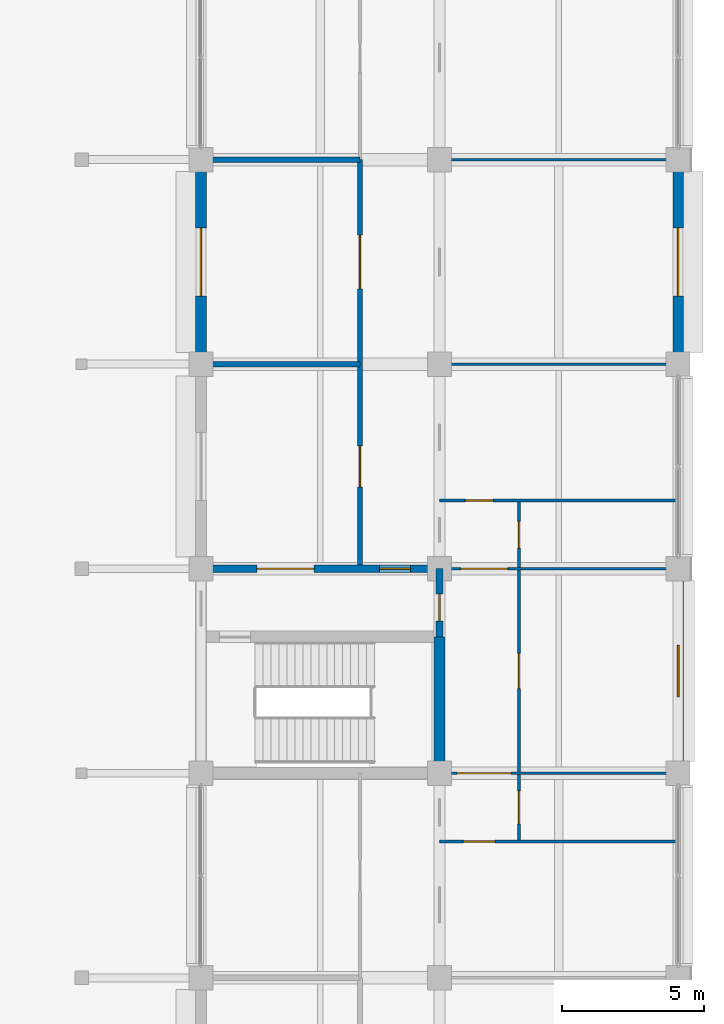
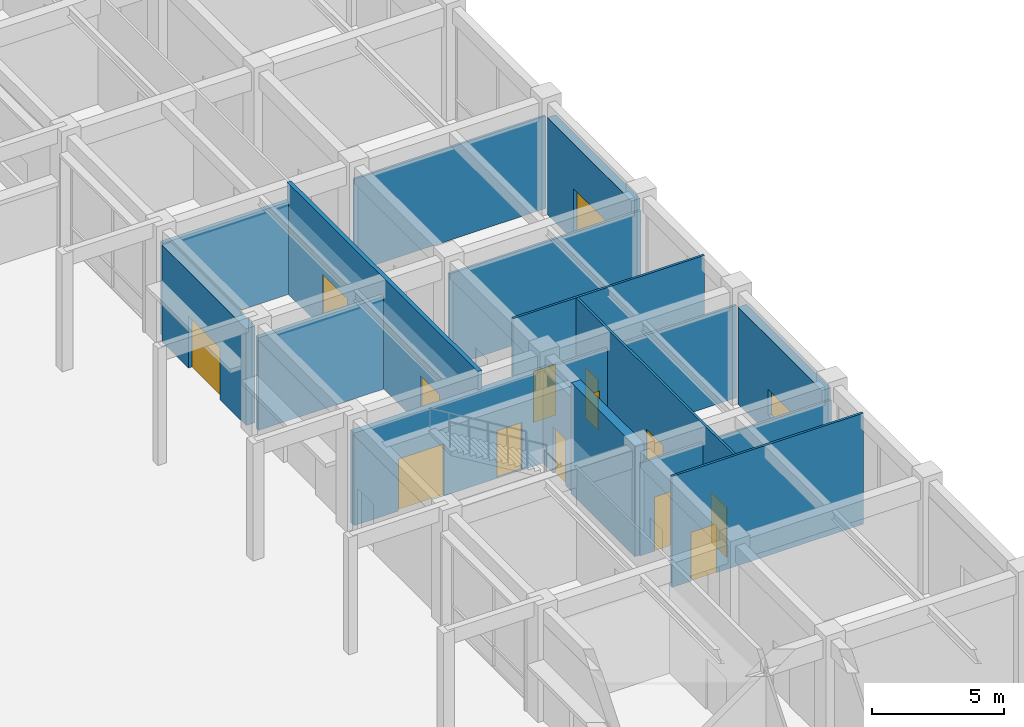
# One storey, part 55 of 73: 16 walls, 14 doors, 1 window, 15 openings.
"""IFC4 building model written with IfcOpenShell, lengths in metres."""

from ifc_helpers import new_model, si_unit, direction, frame, frame_2d, origin, place, context, subcontext, project, spatial, rectangle, extrude, material, layer, layer_set, type_object, element, fill, save


model = new_model("IFC4")

# Units and contexts
model_context = context("Model", 3, precision=1e-05, world=origin(), true_north=direction((0.0, 1.0)))
body_context = subcontext(model_context, "Body", "Model", "MODEL_VIEW")
ifc_project = project(units=[si_unit("LENGTHUNIT", "METRE"), si_unit("AREAUNIT", "SQUARE_METRE"), si_unit("VOLUMEUNIT", "CUBIC_METRE"), si_unit("PLANEANGLEUNIT", "RADIAN"), si_unit("MASSUNIT", "GRAM", prefix="KILO")], contexts=[model_context])

# Site, building, storey
site_placement = place(None, origin())
site = spatial("IfcSite", under=ifc_project, at=site_placement, CompositionType="ELEMENT")
building_placement = place(site_placement, origin())
building = spatial("IfcBuilding", under=site, at=building_placement, Name="Chengyuan Square Courthouse", CompositionType="ELEMENT")
storey_placement = place(building_placement, origin())
storey = spatial("IfcBuildingStorey", under=building, at=storey_placement, Name="L01", CompositionType="ELEMENT", Elevation=0.0)

# Wall, opening, door
ifc_material_1 = material(Name="Concrete C40", Category="concrete")
ifc_layer_1 = layer(ifc_material_1, 0.3798828125)
ifc_layer_set_1 = layer_set([ifc_layer_1], Name="Concrete C40")
wall_type_1 = type_object("IfcWallType", Name="WL-EW1", PredefinedType="STANDARD", material=ifc_layer_set_1)
wall_1_placement = place(storey_placement, frame((151.199951171875, 50.820068359375, 0.0), z_axis=(0.0, 0.0, 1.0), x_axis=(0.0, 1.0, 0.0)))
wall_1 = element("IfcWall", 1, at=wall_1_placement, inside=storey, type_object=wall_type_1, Name="Exterior Wall WL-L01-E194", PredefinedType="STANDARD", context=body_context, shape_type="SweptSolid", body=[
    extrude(rectangle(XDim=6.35986328125, YDim=0.3798828125, at=frame_2d((3.179931640625, 0.0))), origin(), (0.0, 0.0, 1.0), 4.469970703125),
])
opening_1_placement = place(wall_1_placement, frame((1.97998046875, 0.0, 0.0)))
opening_1 = element("IfcOpeningElement", 2, at=opening_1_placement, cuts=wall_1, Name="Opening E-08", PredefinedType="OPENING", context=body_context, shape_type="SweptSolid", body=[
    extrude(rectangle(XDim=2.39990234375, YDim=2.39990234375, at=frame_2d((1.199951171875, 1.199951171875))), frame((0.0, 0.201904296875, 0.0), z_axis=(0.0, -1.0, 0.0), x_axis=(1.0, 0.0, 0.0)), (0.0, 0.0, 1.0), 0.40380859375),
])
ifc_material_2 = material(Name="Glazed Bronze Civic Entrance Door")
door_type_1 = type_object("IfcDoorType", Name="DT-01", OperationType="DOUBLE_DOOR_SINGLE_SWING", PredefinedType="DOOR", material=ifc_material_2)
door_1_placement = place(opening_1_placement, origin())
door_1 = element("IfcDoor", 3, at=door_1_placement, inside=storey, type_object=door_type_1, Name="Main Pedestrian Entrance Exit Door E-08", OperationType="DOUBLE_DOOR_SINGLE_SWING", OverallHeight=2.39990234375, OverallWidth=2.39990234375, PredefinedType="DOOR", context=body_context, shape_type="SweptSolid", body=[
    extrude(rectangle(XDim=2.39990234375, YDim=2.39990234375, at=frame_2d((1.199951171875, 1.199951171875))), frame((0.0, 0.02490234375, 0.0), z_axis=(0.0, -1.0, 0.0), x_axis=(1.0, 0.0, 0.0)), (0.0, 0.0, 1.0), 0.050048828125),
])
fill(opening_1, door_1)

# Wall, opening, window
wall_2_placement = place(storey_placement, frame((168.0, 36.419921875, 0.0), z_axis=(0.0, 0.0, 1.0), x_axis=(0.0, 1.0, 0.0)))
wall_2 = element("IfcWall", 4, at=wall_2_placement, inside=storey, type_object=wall_type_1, Name="Exterior Wall WL-L01-E198", PredefinedType="STANDARD", context=body_context, shape_type="SweptSolid", body=[
    extrude(rectangle(XDim=6.360107421875, YDim=0.3798828125, at=frame_2d((3.18017578125, 0.0))), origin(), (0.0, 0.0, 1.0), 4.469970703125),
])
opening_2_placement = place(wall_2_placement, frame((2.280029296875, 0.0, 0.85009765625)))
opening_2 = element("IfcOpeningElement", 5, at=opening_2_placement, cuts=wall_2, Name="Opening WN-013", PredefinedType="OPENING", context=body_context, shape_type="SweptSolid", body=[
    extrude(rectangle(XDim=1.800048828125, YDim=1.199951171875, at=frame_2d((0.89990234375, 0.60009765625))), frame((0.0, 0.201904296875, 0.0), z_axis=(0.0, -1.0, 0.0), x_axis=(1.0, 0.0, 0.0)), (0.0, 0.0, 1.0), 0.40380859375),
])
ifc_material_3 = material(Name="Thermally Broken Aluminium Triple Low-E Window", Category="aluminium")
window_type = type_object("IfcWindowType", Name="WT-31", PartitioningType="SINGLE_PANEL", PredefinedType="WINDOW", material=ifc_material_3)
window_placement = place(opening_2_placement, origin())
window = element("IfcWindow", 6, at=window_placement, inside=storey, type_object=window_type, Name="Facade Window WN-013", OverallHeight=1.199951171875, OverallWidth=1.800048828125, PartitioningType="SINGLE_PANEL", PredefinedType="WINDOW", context=body_context, shape_type="SweptSolid", body=[
    extrude(rectangle(XDim=1.800048828125, YDim=1.199951171875, at=frame_2d((0.89990234375, 0.60009765625))), frame((0.0, 0.030029296875, 0.0), z_axis=(0.0, -1.0, 0.0), x_axis=(1.0, 0.0, 0.0)), (0.0, 0.0, 1.0), 0.06005859375),
])
fill(opening_2, window)

# Wall, opening, door
wall_3_placement = place(storey_placement, frame((168.0, 50.820068359375, 0.0), z_axis=(0.0, 0.0, 1.0), x_axis=(0.0, 1.0, 0.0)))
wall_3 = element("IfcWall", 7, at=wall_3_placement, inside=storey, type_object=wall_type_1, Name="Exterior Wall WL-L01-E199", PredefinedType="STANDARD", context=body_context, shape_type="SweptSolid", body=[
    extrude(rectangle(XDim=6.35986328125, YDim=0.3798828125, at=frame_2d((3.179931640625, 0.0))), origin(), (0.0, 0.0, 1.0), 4.469970703125),
])
opening_3_placement = place(wall_3_placement, frame((1.97998046875, 0.0, 0.0)))
opening_3 = element("IfcOpeningElement", 8, at=opening_3_placement, cuts=wall_3, Name="Opening E-20", PredefinedType="OPENING", context=body_context, shape_type="SweptSolid", body=[
    extrude(rectangle(XDim=2.39990234375, YDim=2.39990234375, at=frame_2d((1.199951171875, 1.199951171875))), frame((0.0, 0.201904296875, 0.0), z_axis=(0.0, -1.0, 0.0), x_axis=(1.0, 0.0, 0.0)), (0.0, 0.0, 1.0), 0.40380859375),
])
door_2_placement = place(opening_3_placement, frame((2.39990234375, 0.0, 0.0), z_axis=(0.0, 0.0, 1.0), x_axis=(-1.0, 0.0, 0.0)))
door_2 = element("IfcDoor", 9, at=door_2_placement, inside=storey, type_object=door_type_1, Name="Main Pedestrian Entrance Exit Door E-20", OperationType="DOUBLE_DOOR_SINGLE_SWING", OverallHeight=2.39990234375, OverallWidth=2.39990234375, PredefinedType="DOOR", context=body_context, shape_type="SweptSolid", body=[
    extrude(rectangle(XDim=2.39990234375, YDim=2.39990234375, at=frame_2d((1.199951171875, 1.199951171875))), frame((0.0, 0.02490234375, 0.0), z_axis=(0.0, -1.0, 0.0), x_axis=(1.0, 0.0, 0.0)), (0.0, 0.0, 1.0), 0.050048828125),
])
fill(opening_3, door_2)

# Wall, openings, doors
ifc_layer_2 = layer(ifc_material_1, 0.25)
ifc_layer_set_2 = layer_set([ifc_layer_2], Name="Concrete C40")
wall_type_2 = type_object("IfcWallType", Name="WL-FW1", PredefinedType="STANDARD", material=ifc_layer_set_2)
wall_4_placement = place(storey_placement, frame((151.239990234375, 43.199951171875, 0.0), z_axis=(0.0, 0.0, 1.0), x_axis=(1.0, 0.0, 0.0)))
wall_4 = element("IfcWall", 10, at=wall_4_placement, inside=storey, type_object=wall_type_2, Name="Interior Wall WL-L01-I648", PredefinedType="STANDARD", context=body_context, shape_type="SweptSolid", body=[
    extrude(rectangle(XDim=8.360107421875, YDim=0.25, at=frame_2d((4.18017578125, 0.0))), origin(), (0.0, 0.0, 1.0), 4.27001953125),
])
opening_4_placement = place(wall_4_placement, frame((6.237548828125, 0.0, 0.0)))
opening_4 = element("IfcOpeningElement", 11, at=opening_4_placement, cuts=wall_4, Name="Opening DR-689", PredefinedType="OPENING", context=body_context, shape_type="SweptSolid", body=[
    extrude(rectangle(XDim=1.10009765625, YDim=2.199951171875, at=frame_2d((0.550048828125, 1.10009765625))), frame((0.0, 0.136962890625, 0.0), z_axis=(0.0, -1.0, 0.0), x_axis=(1.0, 0.0, 0.0)), (0.0, 0.0, 1.0), 0.27392578125),
])
opening_5_placement = place(wall_4_placement, frame((1.9326171875, 0.0, 0.0)))
opening_5 = element("IfcOpeningElement", 12, at=opening_5_placement, cuts=wall_4, Name="Opening DR-690", PredefinedType="OPENING", context=body_context, shape_type="SweptSolid", body=[
    extrude(rectangle(XDim=2.0, YDim=2.39990234375, at=frame_2d((1.0, 1.199951171875))), frame((0.0, 0.136962890625, 0.0), z_axis=(0.0, -1.0, 0.0), x_axis=(1.0, 0.0, 0.0)), (0.0, 0.0, 1.0), 0.27392578125),
])
ifc_material_4 = material(Name="Steel Q235B Fire Door", Category="steel")
door_type_2 = type_object("IfcDoorType", Name="DT-10", OperationType="NOTDEFINED", PredefinedType="DOOR", material=ifc_material_4)
door_3_placement = place(opening_4_placement, origin())
door_3 = element("IfcDoor", 13, at=door_3_placement, inside=storey, type_object=door_type_2, Name="Interior Door DR-689", OperationType="SINGLE_SWING_LEFT", OverallHeight=2.199951171875, OverallWidth=1.10009765625, PredefinedType="DOOR", context=body_context, shape_type="SweptSolid", body=[
    extrude(rectangle(XDim=1.10009765625, YDim=2.199951171875, at=frame_2d((0.550048828125, 1.10009765625))), frame((0.0, 0.02490234375, 0.0), z_axis=(0.0, -1.0, 0.0), x_axis=(1.0, 0.0, 0.0)), (0.0, 0.0, 1.0), 0.050048828125),
])
fill(opening_4, door_3)
ifc_material_5 = material(Name="Steel Q235B Glazed Fire Door", Category="steel")
door_type_3 = type_object("IfcDoorType", Name="DT-20", OperationType="DOUBLE_DOOR_SINGLE_SWING", PredefinedType="DOOR", material=ifc_material_5)
door_4_placement = place(opening_5_placement, frame((2.0, 0.0, 0.0), z_axis=(0.0, 0.0, 1.0), x_axis=(-1.0, 0.0, 0.0)))
door_4 = element("IfcDoor", 14, at=door_4_placement, inside=storey, type_object=door_type_3, Name="Interior Door DR-690", OperationType="DOUBLE_DOOR_SINGLE_SWING", OverallHeight=2.39990234375, OverallWidth=2.0, PredefinedType="DOOR", context=body_context, shape_type="SweptSolid", body=[
    extrude(rectangle(XDim=2.0, YDim=2.39990234375, at=frame_2d((1.0, 1.199951171875))), frame((0.0, 0.02490234375, 0.0), z_axis=(0.0, -1.0, 0.0), x_axis=(1.0, 0.0, 0.0)), (0.0, 0.0, 1.0), 0.050048828125),
])
fill(opening_5, door_4)

# Wall, opening, door
wall_5_placement = place(storey_placement, frame((159.60009765625, 40.800048828125, 0.0), z_axis=(0.0, 0.0, 1.0), x_axis=(0.0, 1.0, 0.0)))
wall_5 = element("IfcWall", 15, at=wall_5_placement, inside=storey, type_object=wall_type_2, Name="Interior Wall WL-L01-I1002", PredefinedType="STANDARD", context=body_context, shape_type="SweptSolid", body=[
    extrude(rectangle(XDim=2.39990234375, YDim=0.25, at=frame_2d((1.199951171875, 0.0))), origin(), (0.0, 0.0, 1.0), 4.3701171875),
])
opening_6_placement = place(wall_5_placement, frame((0.552490234375, 0.0, 0.0)))
opening_6 = element("IfcOpeningElement", 16, at=opening_6_placement, cuts=wall_5, Name="Opening DR-691", PredefinedType="OPENING", context=body_context, shape_type="SweptSolid", body=[
    extrude(rectangle(XDim=0.949951171875, YDim=2.14990234375, at=frame_2d((0.47509765625, 1.074951171875))), frame((0.0, 0.136962890625, 0.0), z_axis=(0.0, -1.0, 0.0), x_axis=(1.0, 0.0, 0.0)), (0.0, 0.0, 1.0), 0.27392578125),
])
door_type_4 = type_object("IfcDoorType", Name="DT-12", OperationType="NOTDEFINED", PredefinedType="DOOR", material=ifc_material_4)
door_5_placement = place(opening_6_placement, origin())
door_5 = element("IfcDoor", 17, at=door_5_placement, inside=storey, type_object=door_type_4, Name="Interior Door DR-691", OperationType="SINGLE_SWING_RIGHT", OverallHeight=2.14990234375, OverallWidth=0.949951171875, PredefinedType="DOOR", context=body_context, shape_type="SweptSolid", body=[
    extrude(rectangle(XDim=0.949951171875, YDim=2.14990234375, at=frame_2d((0.47509765625, 1.074951171875))), frame((0.0, 0.02490234375, 0.0), z_axis=(0.0, -1.0, 0.0), x_axis=(1.0, 0.0, 0.0)), (0.0, 0.0, 1.0), 0.050048828125),
])
fill(opening_6, door_5)

# Walls
ifc_material_6 = material(Name="Double-Stud Acoustic Gypsum Courtroom Partition")
ifc_layer_3 = layer(ifc_material_6, 0.179931640625)
ifc_layer_set_3 = layer_set([ifc_layer_3], Name="Double-Stud Acoustic Gypsum Courtroom Partition")
wall_type_3 = type_object("IfcWallType", Name="WL-PT1", PredefinedType="STANDARD", material=ifc_layer_set_3)
for number, where, z_axis, x_axis, name in (
    (18, (151.239990234375, 50.39990234375, 0.0), (0.0, 0.0, 1.0), (1.0, 0.0, 0.0), "Interior Wall WL-L01-I654"),
    (19, (151.239990234375, 57.60009765625, 0.0), (0.0, 0.0, 1.0), (1.0, 0.0, 0.0), "Interior Wall WL-L01-I658"),
):
    element("IfcWall", number, at=place(storey_placement, frame(where, z_axis=z_axis, x_axis=x_axis)), inside=storey, type_object=wall_type_3, Name=name, PredefinedType="STANDARD", context=body_context, shape_type="SweptSolid", body=[
        extrude(rectangle(XDim=5.56005859375, YDim=0.179931640625, at=frame_2d((2.780029296875, 0.0))), origin(), (0.0, 0.0, 1.0), 4.27001953125),
    ])

# Wall, openings, doors
wall_6_placement = place(storey_placement, frame((156.800048828125, 43.199951171875, 0.0), z_axis=(0.0, 0.0, 1.0), x_axis=(0.0, 1.0, 0.0)))
wall_6 = element("IfcWall", 20, at=wall_6_placement, inside=storey, type_object=wall_type_3, Name="Interior Wall WL-L01-I998", PredefinedType="STANDARD", context=body_context, shape_type="SweptSolid", body=[
    extrude(rectangle(XDim=14.400146484375, YDim=0.179931640625, at=frame_2d((7.2001953125, 0.0))), origin(), (0.0, 0.0, 1.0), 5.1201171875),
])
opening_7_placement = place(wall_6_placement, frame((2.875, 0.0, 0.0)))
opening_7 = element("IfcOpeningElement", 21, at=opening_7_placement, cuts=wall_6, Name="Opening DR-981", PredefinedType="OPENING", context=body_context, shape_type="SweptSolid", body=[
    extrude(rectangle(XDim=1.449951171875, YDim=2.300048828125, at=frame_2d((0.72509765625, 1.14990234375))), frame((0.0, 0.10205078125, 0.0), z_axis=(0.0, -1.0, 0.0), x_axis=(1.0, 0.0, 0.0)), (0.0, 0.0, 1.0), 0.203857421875),
])
opening_8_placement = place(wall_6_placement, frame((9.85009765625, 0.0, 0.0)))
opening_8 = element("IfcOpeningElement", 22, at=opening_8_placement, cuts=wall_6, Name="Opening DR-982", PredefinedType="OPENING", context=body_context, shape_type="SweptSolid", body=[
    extrude(rectangle(XDim=1.89990234375, YDim=2.5, at=frame_2d((0.949951171875, 1.25))), frame((0.0, 0.10205078125, 0.0), z_axis=(0.0, -1.0, 0.0), x_axis=(1.0, 0.0, 0.0)), (0.0, 0.0, 1.0), 0.203857421875),
])
ifc_material_7 = material(Name="Acoustic Larch Veneer Double Door")
door_type_5 = type_object("IfcDoorType", Name="DT-25", OperationType="DOUBLE_DOOR_SINGLE_SWING", PredefinedType="DOOR", material=ifc_material_7)
door_6_placement = place(opening_7_placement, frame((1.449951171875, 0.0, 0.0), z_axis=(0.0, 0.0, 1.0), x_axis=(-1.0, 0.0, 0.0)))
door_6 = element("IfcDoor", 23, at=door_6_placement, inside=storey, type_object=door_type_5, Name="Interior Door DR-981", OperationType="DOUBLE_DOOR_SINGLE_SWING", OverallHeight=2.300048828125, OverallWidth=1.449951171875, PredefinedType="DOOR", context=body_context, shape_type="SweptSolid", body=[
    extrude(rectangle(XDim=1.449951171875, YDim=2.300048828125, at=frame_2d((0.72509765625, 1.14990234375))), frame((0.0, 0.02490234375, 0.0), z_axis=(0.0, -1.0, 0.0), x_axis=(1.0, 0.0, 0.0)), (0.0, 0.0, 1.0), 0.050048828125),
])
fill(opening_7, door_6)
door_type_6 = type_object("IfcDoorType", Name="DT-26", OperationType="DOUBLE_DOOR_SINGLE_SWING", PredefinedType="DOOR", material=ifc_material_7)
door_7_placement = place(opening_8_placement, frame((1.89990234375, 0.0, 0.0), z_axis=(0.0, 0.0, 1.0), x_axis=(-1.0, 0.0, 0.0)))
door_7 = element("IfcDoor", 24, at=door_7_placement, inside=storey, type_object=door_type_6, Name="Interior Door DR-982", OperationType="DOUBLE_DOOR_SINGLE_SWING", OverallHeight=2.5, OverallWidth=1.89990234375, PredefinedType="DOOR", context=body_context, shape_type="SweptSolid", body=[
    extrude(rectangle(XDim=1.89990234375, YDim=2.5, at=frame_2d((0.949951171875, 1.25))), frame((0.0, 0.02490234375, 0.0), z_axis=(0.0, -1.0, 0.0), x_axis=(1.0, 0.0, 0.0)), (0.0, 0.0, 1.0), 0.050048828125),
])
fill(opening_8, door_7)

# Wall, opening, door
ifc_material_8 = material(Name="Gypsum Plasterboard Acoustic Stud Partition")
ifc_layer_4 = layer(ifc_material_8, 0.10009765625)
ifc_layer_set_4 = layer_set([ifc_layer_4], Name="Gypsum Plasterboard Acoustic Stud Partition")
wall_type_4 = type_object("IfcWallType", Name="WL-PT6", PredefinedType="STANDARD", material=ifc_layer_set_4)
wall_7_placement = place(storey_placement, frame((159.60009765625, 33.60009765625, 0.0), z_axis=(0.0, 0.0, 1.0), x_axis=(1.0, 0.0, 0.0)))
wall_7 = element("IfcWall", 25, at=wall_7_placement, inside=storey, type_object=wall_type_4, Name="Interior Wall WL-L01-I639", PredefinedType="STANDARD", context=body_context, shape_type="SweptSolid", body=[
    extrude(rectangle(XDim=8.35986328125, YDim=0.10009765625, at=frame_2d((4.179931640625, 0.0))), origin(), (0.0, 0.0, 1.0), 5.1201171875),
])
opening_9_placement = place(wall_7_placement, frame((0.840087890625, 0.0, 0.0)))
opening_9 = element("IfcOpeningElement", 26, at=opening_9_placement, cuts=wall_7, Name="Opening DR-992", PredefinedType="OPENING", context=body_context, shape_type="SweptSolid", body=[
    extrude(rectangle(XDim=1.1201171875, YDim=2.25, at=frame_2d((0.56005859375, 1.125))), frame((0.0, 0.06201171875, 0.0), z_axis=(0.0, -1.0, 0.0), x_axis=(1.0, 0.0, 0.0)), (0.0, 0.0, 1.0), 0.1240234375),
])
ifc_material_9 = material(Name="Acoustic Solid-Core Timber Door", Category="wood")
door_type_7 = type_object("IfcDoorType", Name="DT-34", OperationType="NOTDEFINED", PredefinedType="DOOR", material=ifc_material_9)
door_8_placement = place(opening_9_placement, origin())
door_8 = element("IfcDoor", 27, at=door_8_placement, inside=storey, type_object=door_type_7, Name="Interior Door DR-992", OperationType="SINGLE_SWING_RIGHT", OverallHeight=2.25, OverallWidth=1.1201171875, PredefinedType="DOOR", context=body_context, shape_type="SweptSolid", body=[
    extrude(rectangle(XDim=1.1201171875, YDim=2.25, at=frame_2d((0.56005859375, 1.125))), frame((0.0, 0.02490234375, 0.0), z_axis=(0.0, -1.0, 0.0), x_axis=(1.0, 0.0, 0.0)), (0.0, 0.0, 1.0), 0.050048828125),
])
fill(opening_9, door_8)

wall_8_placement = place(storey_placement, frame((159.60009765625, 36.0, 0.0), z_axis=(0.0, 0.0, 1.0), x_axis=(1.0, 0.0, 0.0)))
wall_8 = element("IfcWall", 28, at=wall_8_placement, inside=storey, type_object=wall_type_4, Name="Interior Wall WL-L01-I643", PredefinedType="STANDARD", context=body_context, shape_type="SweptSolid", body=[
    extrude(rectangle(XDim=8.35986328125, YDim=0.10009765625, at=frame_2d((4.179931640625, 0.0))), origin(), (0.0, 0.0, 1.0), 4.27001953125),
])
opening_10_placement = place(wall_8_placement, frame((0.62255859375, 0.0, 0.0)))
opening_10 = element("IfcOpeningElement", 29, at=opening_10_placement, cuts=wall_8, Name="Opening DR-994", PredefinedType="OPENING", context=body_context, shape_type="SweptSolid", body=[
    extrude(rectangle(XDim=1.89990234375, YDim=2.5, at=frame_2d((0.949951171875, 1.25))), frame((0.0, 0.06201171875, 0.0), z_axis=(0.0, -1.0, 0.0), x_axis=(1.0, 0.0, 0.0)), (0.0, 0.0, 1.0), 0.1240234375),
])
door_9_placement = place(opening_10_placement, frame((1.89990234375, 0.0, 0.0), z_axis=(0.0, 0.0, 1.0), x_axis=(-1.0, 0.0, 0.0)))
door_9 = element("IfcDoor", 30, at=door_9_placement, inside=storey, type_object=door_type_6, Name="Interior Door DR-994", OperationType="DOUBLE_DOOR_SINGLE_SWING", OverallHeight=2.5, OverallWidth=1.89990234375, PredefinedType="DOOR", context=body_context, shape_type="SweptSolid", body=[
    extrude(rectangle(XDim=1.89990234375, YDim=2.5, at=frame_2d((0.949951171875, 1.25))), frame((0.0, 0.02490234375, 0.0), z_axis=(0.0, -1.0, 0.0), x_axis=(1.0, 0.0, 0.0)), (0.0, 0.0, 1.0), 0.050048828125),
])
fill(opening_10, door_9)

wall_9_placement = place(storey_placement, frame((159.60009765625, 43.199951171875, 0.0), z_axis=(0.0, 0.0, 1.0), x_axis=(1.0, 0.0, 0.0)))
wall_9 = element("IfcWall", 31, at=wall_9_placement, inside=storey, type_object=wall_type_4, Name="Interior Wall WL-L01-I649", PredefinedType="STANDARD", context=body_context, shape_type="SweptSolid", body=[
    extrude(rectangle(XDim=8.35986328125, YDim=0.10009765625, at=frame_2d((4.179931640625, 0.0))), origin(), (0.0, 0.0, 1.0), 4.27001953125),
])
opening_11_placement = place(wall_9_placement, frame((0.74755859375, 0.0, 0.0)))
opening_11 = element("IfcOpeningElement", 32, at=opening_11_placement, cuts=wall_9, Name="Opening DR-996", PredefinedType="OPENING", context=body_context, shape_type="SweptSolid", body=[
    extrude(rectangle(XDim=1.64990234375, YDim=2.39990234375, at=frame_2d((0.824951171875, 1.199951171875))), frame((0.0, 0.06201171875, 0.0), z_axis=(0.0, -1.0, 0.0), x_axis=(1.0, 0.0, 0.0)), (0.0, 0.0, 1.0), 0.1240234375),
])
door_type_8 = type_object("IfcDoorType", Name="DT-22", OperationType="DOUBLE_DOOR_SINGLE_SWING", PredefinedType="DOOR", material=ifc_material_7)
door_10_placement = place(opening_11_placement, frame((1.64990234375, 0.0, 0.0), z_axis=(0.0, 0.0, 1.0), x_axis=(-1.0, 0.0, 0.0)))
door_10 = element("IfcDoor", 33, at=door_10_placement, inside=storey, type_object=door_type_8, Name="Interior Door DR-996", OperationType="DOUBLE_DOOR_SINGLE_SWING", OverallHeight=2.39990234375, OverallWidth=1.64990234375, PredefinedType="DOOR", context=body_context, shape_type="SweptSolid", body=[
    extrude(rectangle(XDim=1.64990234375, YDim=2.39990234375, at=frame_2d((0.824951171875, 1.199951171875))), frame((0.0, 0.02490234375, 0.0), z_axis=(0.0, -1.0, 0.0), x_axis=(1.0, 0.0, 0.0)), (0.0, 0.0, 1.0), 0.050048828125),
])
fill(opening_11, door_10)

wall_10_placement = place(storey_placement, frame((159.60009765625, 45.60009765625, 0.0), z_axis=(0.0, 0.0, 1.0), x_axis=(1.0, 0.0, 0.0)))
wall_10 = element("IfcWall", 34, at=wall_10_placement, inside=storey, type_object=wall_type_4, Name="Interior Wall WL-L01-I651", PredefinedType="STANDARD", context=body_context, shape_type="SweptSolid", body=[
    extrude(rectangle(XDim=8.35986328125, YDim=0.10009765625, at=frame_2d((4.179931640625, 0.0))), origin(), (0.0, 0.0, 1.0), 5.1201171875),
])
opening_12_placement = place(wall_10_placement, frame((0.909912109375, 0.0, 0.0)))
opening_12 = element("IfcOpeningElement", 35, at=opening_12_placement, cuts=wall_10, Name="Opening DR-998", PredefinedType="OPENING", context=body_context, shape_type="SweptSolid", body=[
    extrude(rectangle(XDim=0.97998046875, YDim=2.35009765625, at=frame_2d((0.489990234375, 1.175048828125))), frame((0.0, 0.06201171875, 0.0), z_axis=(0.0, -1.0, 0.0), x_axis=(1.0, 0.0, 0.0)), (0.0, 0.0, 1.0), 0.1240234375),
])
door_type_9 = type_object("IfcDoorType", Name="DT-40", OperationType="NOTDEFINED", PredefinedType="DOOR", material=ifc_material_9)
door_11_placement = place(opening_12_placement, origin())
door_11 = element("IfcDoor", 36, at=door_11_placement, inside=storey, type_object=door_type_9, Name="Interior Door DR-998", OperationType="SINGLE_SWING_RIGHT", OverallHeight=2.35009765625, OverallWidth=0.97998046875, PredefinedType="DOOR", context=body_context, shape_type="SweptSolid", body=[
    extrude(rectangle(XDim=0.97998046875, YDim=2.35009765625, at=frame_2d((0.489990234375, 1.175048828125))), frame((0.0, 0.02490234375, 0.0), z_axis=(0.0, -1.0, 0.0), x_axis=(1.0, 0.0, 0.0)), (0.0, 0.0, 1.0), 0.050048828125),
])
fill(opening_12, door_11)

# Walls
for number, where, z_axis, x_axis, name in (
    (37, (159.60009765625, 50.39990234375, 0.0), (0.0, 0.0, 1.0), (1.0, 0.0, 0.0), "Interior Wall WL-L01-I655"),
    (38, (159.60009765625, 57.60009765625, 0.0), (0.0, 0.0, 1.0), (1.0, 0.0, 0.0), "Interior Wall WL-L01-I659"),
):
    element("IfcWall", number, at=place(storey_placement, frame(where, z_axis=z_axis, x_axis=x_axis)), inside=storey, type_object=wall_type_4, Name=name, PredefinedType="STANDARD", context=body_context, shape_type="SweptSolid", body=[
        extrude(rectangle(XDim=8.35986328125, YDim=0.10009765625, at=frame_2d((4.179931640625, 0.0))), origin(), (0.0, 0.0, 1.0), 4.27001953125),
    ])

# Wall, openings, doors
wall_11_placement = place(storey_placement, frame((162.39990234375, 33.60009765625, 0.0), z_axis=(0.0, 0.0, 1.0), x_axis=(0.0, 1.0, 0.0)))
wall_11 = element("IfcWall", 39, at=wall_11_placement, inside=storey, type_object=wall_type_4, Name="Interior Wall WL-L01-I1007", PredefinedType="STANDARD", context=body_context, shape_type="SweptSolid", body=[
    extrude(rectangle(XDim=12.0, YDim=0.10009765625, at=frame_2d((6.0, 0.0))), origin(), (0.0, 0.0, 1.0), 5.1201171875),
])
opening_13_placement = place(wall_11_placement, frame((0.6201171875, 0.0, 0.0)))
opening_13 = element("IfcOpeningElement", 40, at=opening_13_placement, cuts=wall_11, Name="Opening DR-993", PredefinedType="OPENING", context=body_context, shape_type="SweptSolid", body=[
    extrude(rectangle(XDim=1.159912109375, YDim=2.300048828125, at=frame_2d((0.580078125, 1.14990234375))), frame((0.0, 0.06201171875, 0.0), z_axis=(0.0, -1.0, 0.0), x_axis=(1.0, 0.0, 0.0)), (0.0, 0.0, 1.0), 0.1240234375),
])
opening_14_placement = place(wall_11_placement, frame((5.3798828125, 0.0, 0.0)))
opening_14 = element("IfcOpeningElement", 41, at=opening_14_placement, cuts=wall_11, Name="Opening DR-995", PredefinedType="OPENING", context=body_context, shape_type="SweptSolid", body=[
    extrude(rectangle(XDim=1.239990234375, YDim=2.300048828125, at=frame_2d((0.6201171875, 1.14990234375))), frame((0.0, 0.06201171875, 0.0), z_axis=(0.0, -1.0, 0.0), x_axis=(1.0, 0.0, 0.0)), (0.0, 0.0, 1.0), 0.1240234375),
])
opening_15_placement = place(wall_11_placement, frame((10.330078125, 0.0, 0.0)))
opening_15 = element("IfcOpeningElement", 42, at=opening_15_placement, cuts=wall_11, Name="Opening DR-997", PredefinedType="OPENING", context=body_context, shape_type="SweptSolid", body=[
    extrude(rectangle(XDim=0.93994140625, YDim=2.300048828125, at=frame_2d((0.469970703125, 1.14990234375))), frame((0.0, 0.06201171875, 0.0), z_axis=(0.0, -1.0, 0.0), x_axis=(1.0, 0.0, 0.0)), (0.0, 0.0, 1.0), 0.1240234375),
])
door_type_10 = type_object("IfcDoorType", Name="DT-35", OperationType="NOTDEFINED", PredefinedType="DOOR", material=ifc_material_9)
door_12_placement = place(opening_13_placement, origin())
door_12 = element("IfcDoor", 43, at=door_12_placement, inside=storey, type_object=door_type_10, Name="Interior Door DR-993", OperationType="SINGLE_SWING_LEFT", OverallHeight=2.300048828125, OverallWidth=1.159912109375, PredefinedType="DOOR", context=body_context, shape_type="SweptSolid", body=[
    extrude(rectangle(XDim=1.159912109375, YDim=2.300048828125, at=frame_2d((0.580078125, 1.14990234375))), frame((0.0, 0.02490234375, 0.0), z_axis=(0.0, -1.0, 0.0), x_axis=(1.0, 0.0, 0.0)), (0.0, 0.0, 1.0), 0.050048828125),
])
fill(opening_13, door_12)
door_type_11 = type_object("IfcDoorType", Name="DT-37", OperationType="NOTDEFINED", PredefinedType="DOOR", material=ifc_material_9)
door_13_placement = place(opening_14_placement, origin())
door_13 = element("IfcDoor", 44, at=door_13_placement, inside=storey, type_object=door_type_11, Name="Interior Door DR-995", OperationType="SINGLE_SWING_RIGHT", OverallHeight=2.300048828125, OverallWidth=1.239990234375, PredefinedType="DOOR", context=body_context, shape_type="SweptSolid", body=[
    extrude(rectangle(XDim=1.239990234375, YDim=2.300048828125, at=frame_2d((0.6201171875, 1.14990234375))), frame((0.0, 0.02490234375, 0.0), z_axis=(0.0, -1.0, 0.0), x_axis=(1.0, 0.0, 0.0)), (0.0, 0.0, 1.0), 0.050048828125),
])
fill(opening_14, door_13)
door_type_12 = type_object("IfcDoorType", Name="DT-39", OperationType="NOTDEFINED", PredefinedType="DOOR", material=ifc_material_9)
door_14_placement = place(opening_15_placement, origin())
door_14 = element("IfcDoor", 45, at=door_14_placement, inside=storey, type_object=door_type_12, Name="Interior Door DR-997", OperationType="SINGLE_SWING_LEFT", OverallHeight=2.300048828125, OverallWidth=0.93994140625, PredefinedType="DOOR", context=body_context, shape_type="SweptSolid", body=[
    extrude(rectangle(XDim=0.93994140625, YDim=2.300048828125, at=frame_2d((0.469970703125, 1.14990234375))), frame((0.0, 0.02490234375, 0.0), z_axis=(0.0, -1.0, 0.0), x_axis=(1.0, 0.0, 0.0)), (0.0, 0.0, 1.0), 0.050048828125),
])
fill(opening_15, door_14)

# Wall
ifc_material_10 = material(Name="Concrete C50", Category="concrete")
ifc_layer_5 = layer(ifc_material_10, 0.39990234375)
ifc_layer_set_5 = layer_set([ifc_layer_5], Name="Concrete C50")
wall_type_5 = type_object("IfcWallType", Name="WL-SW1", PredefinedType="SHEAR", material=ifc_layer_set_5)
wall_12_placement = place(storey_placement, frame((159.60009765625, 36.0, 0.0), z_axis=(0.0, 0.0, 1.0), x_axis=(0.0, 1.0, 0.0)))
element("IfcWall", 46, at=wall_12_placement, inside=storey, type_object=wall_type_5, Name="Interior Wall WL-L01-I1001", PredefinedType="SHEAR", context=body_context, shape_type="SweptSolid", body=[
    extrude(rectangle(XDim=4.800048828125, YDim=0.39990234375, at=frame_2d((2.39990234375, 0.0))), origin(), (0.0, 0.0, 1.0), 5.1201171875),
])

save(model, "model.ifc")
